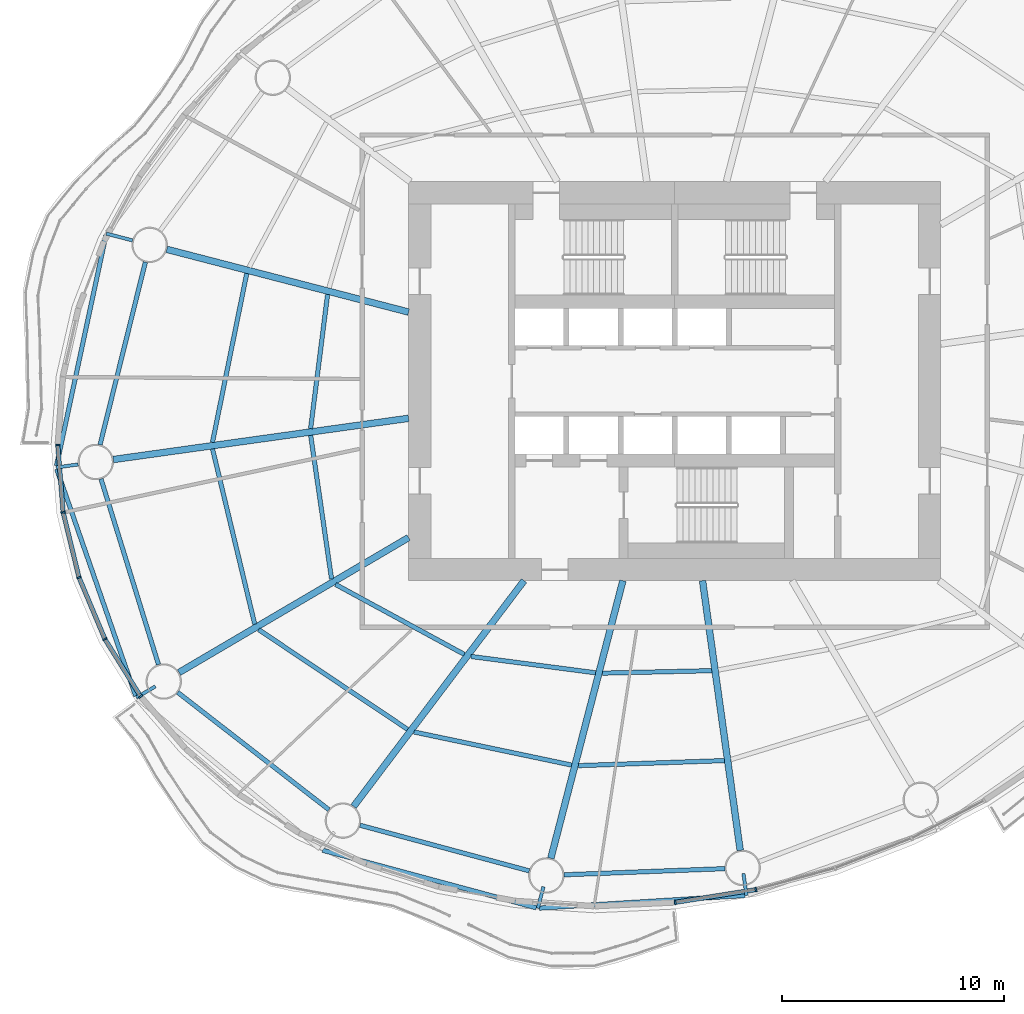
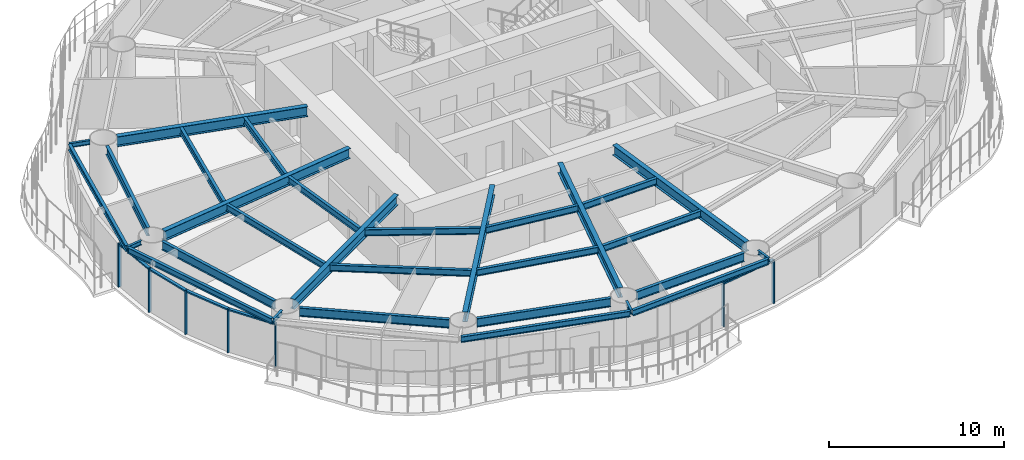
# One storey, part 2 of 14: 30 beams, 12 members, 6 elements without a shape of their own.
"""IFC4 building model written with IfcOpenShell, lengths in metres."""

from ifc_helpers import new_model, si_unit, direction, frame, origin, origin_2d, place, context, subcontext, project, spatial, rectangle, i_section, extrude, material, material_profile, profile_set, type_object, element, aggregate, save


model = new_model("IFC4")

# Units and contexts
model_context = context("Model", 3, precision=1e-05, world=origin(), true_north=direction((0.0, 1.0)))
body_context = subcontext(model_context, "Body", "Model", "MODEL_VIEW")
ifc_project = project(units=[si_unit("LENGTHUNIT", "METRE"), si_unit("AREAUNIT", "SQUARE_METRE"), si_unit("VOLUMEUNIT", "CUBIC_METRE"), si_unit("PLANEANGLEUNIT", "RADIAN"), si_unit("MASSUNIT", "GRAM", prefix="KILO")], contexts=[model_context])

# Site, building, storey
site_placement = place(None, origin())
site = spatial("IfcSite", under=ifc_project, at=site_placement, CompositionType="ELEMENT")
building_placement = place(site_placement, origin())
building = spatial("IfcBuilding", under=site, at=building_placement, Name="Vermilion Reach Broadcast Tower", CompositionType="ELEMENT")
storey_placement = place(building_placement, frame((0.0, 0.0, 106.60009765625)))
storey = spatial("IfcBuildingStorey", under=building, at=storey_placement, Name="L24", CompositionType="ELEMENT", Elevation=106.60009765625)

# Beams
ifc_material_1 = material(Name="Steel S355J2", Category="steel")
ifc_material_profile_1 = material_profile(ifc_material_1, i_section(OverallWidth=0.199951171875, OverallDepth=0.39990234375, WebThickness=0.008056640625, FlangeThickness=0.012939453125, at=origin_2d()), Name="S355J2 HN 400x200x8x13")
ifc_profile_set_1 = profile_set([ifc_material_profile_1], Name="Steel S355J2")
beam_type_1 = type_object("IfcBeamType", Name="EB2 HN 400x200x8x13", PredefinedType="BEAM", material=ifc_profile_set_1)
beam_1_placement = place(storey_placement, frame((-31.648681640625, 6.57958984375, 3.25), z_axis=(-0.209709398942, -0.977763758786, 0.0), x_axis=(0.977763758786, -0.209709398942, 0.0)))
element("IfcBeam", 1, at=beam_1_placement, inside=storey, type_object=beam_type_1, Name="Edge beam EB2-07", PredefinedType="BEAM", context=body_context, shape_type="SweptSolid", body=[
    extrude(i_section(OverallWidth=0.199951171875, OverallDepth=0.39990234375, WebThickness=0.008056640625, FlangeThickness=0.012939453125, at=origin_2d()), origin(), (0.0, 0.0, 1.0), 10.6337890625),
])
beam_2_placement = place(storey_placement, frame((-33.870361328125, -3.9677734375, 3.25), z_axis=(0.328871865345, -0.94437455291, 0.0), x_axis=(0.94437455291, 0.328871865345, 0.0)))
element("IfcBeam", 2, at=beam_2_placement, inside=storey, type_object=beam_type_1, Name="Edge beam EB2-08", PredefinedType="BEAM", context=body_context, shape_type="SweptSolid", body=[
    extrude(i_section(OverallWidth=0.199951171875, OverallDepth=0.39990234375, WebThickness=0.008056640625, FlangeThickness=0.012939453125, at=origin_2d()), origin(), (0.0, 0.0, 1.0), 10.8369140625),
])
beam_3_placement = place(storey_placement, frame((-21.877685546875, -21.15673828125, 3.25), z_axis=(0.965569443685, -0.260145438978, 0.0), x_axis=(0.260145438978, 0.965569443685, 0.0)))
element("IfcBeam", 3, at=beam_3_placement, inside=storey, type_object=beam_type_1, Name="Edge beam EB2-10", PredefinedType="BEAM", context=body_context, shape_type="SweptSolid", body=[
    extrude(i_section(OverallWidth=0.199951171875, OverallDepth=0.39990234375, WebThickness=0.008056640625, FlangeThickness=0.012939453125, at=origin_2d()), origin(), (0.0, 0.0, 1.0), 9.978759765625),
])
beam_4_placement = place(storey_placement, frame((-12.09130859375, -23.767333984375, 3.25), z_axis=(0.998113260315, 0.061399670871, 0.0), x_axis=(-0.061399670871, 0.998113260315, 0.0)))
element("IfcBeam", 4, at=beam_4_placement, inside=storey, type_object=beam_type_1, Name="Edge beam EB2-11", PredefinedType="BEAM", context=body_context, shape_type="SweptSolid", body=[
    extrude(i_section(OverallWidth=0.199951171875, OverallDepth=0.39990234375, WebThickness=0.008056640625, FlangeThickness=0.012939453125, at=origin_2d()), origin(), (0.0, 0.0, 1.0), 9.272705078125),
])
ifc_material_2 = material(Name="Steel S355J2", Category="steel")
ifc_material_profile_2 = material_profile(ifc_material_2, i_section(OverallWidth=0.300048828125, OverallDepth=0.699951171875, WebThickness=0.012939453125, FlangeThickness=0.02392578125, at=origin_2d()), Name="S355J2 HN 700x300x13x24")
ifc_profile_set_2 = profile_set([ifc_material_profile_2], Name="Steel S355J2")
beam_type_2 = type_object("IfcBeamType", Name="G2 HN 700x300x13x24", PredefinedType="BEAM", material=ifc_profile_set_2)
beam_5_placement = place(storey_placement, frame((-18.0, 3.114501953125, 3.099853515625), z_axis=(-0.967926079816, 0.2512351568, 0.0), x_axis=(-0.2512351568, -0.967926079816, 0.0)))
element("IfcBeam", 5, at=beam_5_placement, inside=storey, type_object=beam_type_2, Name="Girder G2-07", PredefinedType="BEAM", context=body_context, shape_type="SweptSolid", body=[
    extrude(i_section(OverallWidth=0.300048828125, OverallDepth=0.699951171875, WebThickness=0.012939453125, FlangeThickness=0.02392578125, at=origin_2d()), origin(), (0.0, 0.0, 1.0), 11.265625),
])
beam_6_placement = place(storey_placement, frame((-18.0, -1.67578125, 3.099853515625), z_axis=(-0.990389457618, -0.138306623986, 0.0), x_axis=(0.138306623986, -0.990389457618, 0.0)))
element("IfcBeam", 6, at=beam_6_placement, inside=storey, type_object=beam_type_2, Name="Girder G2-08", PredefinedType="BEAM", context=body_context, shape_type="SweptSolid", body=[
    extrude(i_section(OverallWidth=0.300048828125, OverallDepth=0.699951171875, WebThickness=0.012939453125, FlangeThickness=0.02392578125, at=origin_2d()), origin(), (0.0, 0.0, 1.0), 13.445556640625),
])
beam_7_placement = place(storey_placement, frame((-18.0, -7.054443359375, 3.099853515625), z_axis=(-0.862071616631, -0.506786471603, 0.0), x_axis=(0.506786471603, -0.862071616631, 0.0)))
element("IfcBeam", 7, at=beam_7_placement, inside=storey, type_object=beam_type_2, Name="Girder G2-09", PredefinedType="BEAM", context=body_context, shape_type="SweptSolid", body=[
    extrude(i_section(OverallWidth=0.300048828125, OverallDepth=0.699951171875, WebThickness=0.012939453125, FlangeThickness=0.02392578125, at=origin_2d()), origin(), (0.0, 0.0, 1.0), 12.01025390625),
])
beam_8_placement = place(storey_placement, frame((-12.794189453125, -9.0, 3.099853515625), z_axis=(-0.602519842365, -0.798103902733, 0.0), x_axis=(0.798103902733, -0.602519842365, 0.0)))
element("IfcBeam", 8, at=beam_8_placement, inside=storey, type_object=beam_type_2, Name="Girder G2-10", PredefinedType="BEAM", context=body_context, shape_type="SweptSolid", body=[
    extrude(i_section(OverallWidth=0.300048828125, OverallDepth=0.699951171875, WebThickness=0.012939453125, FlangeThickness=0.02392578125, at=origin_2d()), origin(), (0.0, 0.0, 1.0), 12.758544921875),
])
beam_9_placement = place(storey_placement, frame((-8.3359375, -9.0, 3.099853515625), z_axis=(-0.25121695316, -0.967930804575, 0.0), x_axis=(0.967930804575, -0.25121695316, 0.0)))
element("IfcBeam", 9, at=beam_9_placement, inside=storey, type_object=beam_type_2, Name="Girder G2-11", PredefinedType="BEAM", context=body_context, shape_type="SweptSolid", body=[
    extrude(i_section(OverallWidth=0.300048828125, OverallDepth=0.699951171875, WebThickness=0.012939453125, FlangeThickness=0.02392578125, at=origin_2d()), origin(), (0.0, 0.0, 1.0), 12.93505859375),
])
beam_10_placement = place(storey_placement, frame((-4.7431640625, -9.0, 3.099853515625), z_axis=(0.138317561234, -0.990387930184, 0.0), x_axis=(0.990387930184, 0.138317561234, 0.0)))
element("IfcBeam", 10, at=beam_10_placement, inside=storey, type_object=beam_type_2, Name="Girder G2-12", PredefinedType="BEAM", context=body_context, shape_type="SweptSolid", body=[
    extrude(i_section(OverallWidth=0.300048828125, OverallDepth=0.699951171875, WebThickness=0.012939453125, FlangeThickness=0.02392578125, at=origin_2d()), origin(), (0.0, 0.0, 1.0), 12.281494140625),
])
ifc_material_3 = material(Name="Steel S355J2", Category="steel")
ifc_material_profile_3 = material_profile(ifc_material_3, i_section(OverallWidth=0.14990234375, OverallDepth=0.300048828125, WebThickness=0.006591796875, FlangeThickness=0.009033203125, at=origin_2d()), Name="S355J2 HN 300x150x6.5x9")
ifc_profile_set_3 = profile_set([ifc_material_profile_3], Name="Steel S355J2")
beam_type_3 = type_object("IfcBeamType", Name="GS2 HN 300x150x6.5x9", PredefinedType="BEAM", material=ifc_profile_set_3)
beam_11_placement = place(storey_placement, frame((-30.452880859375, 6.3466796875, 3.2998046875), z_axis=(-0.967899522531, 0.251337451019, 0.0), x_axis=(-0.251337451019, -0.967899522531, 0.0)))
element("IfcBeam", 11, at=beam_11_placement, inside=storey, type_object=beam_type_3, Name="Cantilever stub GS2-07", PredefinedType="BEAM", context=body_context, shape_type="SweptSolid", body=[
    extrude(i_section(OverallWidth=0.14990234375, OverallDepth=0.300048828125, WebThickness=0.006591796875, FlangeThickness=0.009033203125, at=origin_2d()), origin(), (0.0, 0.0, 1.0), 1.218994140625),
])
beam_12_placement = place(storey_placement, frame((-32.901123046875, -3.7568359375, 3.2998046875), z_axis=(-0.990382436951, -0.138356888442, 0.0), x_axis=(0.138356888442, -0.990382436951, 0.0)))
element("IfcBeam", 12, at=beam_12_placement, inside=storey, type_object=beam_type_3, Name="Cantilever stub GS2-08", PredefinedType="BEAM", context=body_context, shape_type="SweptSolid", body=[
    extrude(i_section(OverallWidth=0.14990234375, OverallDepth=0.300048828125, WebThickness=0.006591796875, FlangeThickness=0.009033203125, at=origin_2d()), origin(), (0.0, 0.0, 1.0), 1.004150390625),
])
for number, where, z_axis, x_axis, name in (
    (13, (-29.419189453125, -13.767333984375, 3.2998046875), (-0.862047161964, -0.506828068037, 0.0), (0.506828068037, -0.862047161964, 0.0), "Cantilever stub GS2-09"),
    (14, (-11.918701171875, -22.80419921875, 3.2998046875), (-0.251199368006, -0.967935368459, 0.0), (0.967935368459, -0.251199368006, 0.0), "Cantilever stub GS2-11"),
    (15, (-2.8994140625, -22.202880859375, 3.2998046875), (0.138413206764, -0.990374567622, 0.0), (0.990374567622, 0.138413206764, 0.0), "Cantilever stub GS2-12"),
):
    element("IfcBeam", number, at=place(storey_placement, frame(where, z_axis=z_axis, x_axis=x_axis)), inside=storey, type_object=beam_type_3, Name=name, PredefinedType="BEAM", context=body_context, shape_type="SweptSolid", body=[
        extrude(i_section(OverallWidth=0.14990234375, OverallDepth=0.300048828125, WebThickness=0.006591796875, FlangeThickness=0.009033203125, at=origin_2d()), origin(), (0.0, 0.0, 1.0), 1.0),
    ])
ifc_material_4 = material(Name="Steel S355J2", Category="steel")
ifc_material_profile_4 = material_profile(ifc_material_4, i_section(OverallWidth=0.199951171875, OverallDepth=0.60009765625, WebThickness=0.010986328125, FlangeThickness=0.01708984375, at=origin_2d()), Name="S355J2 HN 600x200x11x17")
ifc_profile_set_4 = profile_set([ifc_material_profile_4], Name="Steel S355J2")
beam_type_4 = type_object("IfcBeamType", Name="RB2 HN 600x200x11x17", PredefinedType="BEAM", material=ifc_profile_set_4)
beam_13_placement = place(storey_placement, frame((-29.871337890625, 5.369384765625, 3.14990234375), z_axis=(-0.240863809798, -0.970558924089, 0.0), x_axis=(0.970558924089, -0.240863809798, 0.0)))
element("IfcBeam", 16, at=beam_13_placement, inside=storey, type_object=beam_type_4, Name="Ring beam RB2-07", PredefinedType="BEAM", context=body_context, shape_type="SweptSolid", body=[
    extrude(i_section(OverallWidth=0.199951171875, OverallDepth=0.60009765625, WebThickness=0.010986328125, FlangeThickness=0.01708984375, at=origin_2d()), origin(), (0.0, 0.0, 1.0), 8.489013671875),
])
beam_14_placement = place(storey_placement, frame((-31.872314453125, -4.410400390625, 3.14990234375), z_axis=(0.295788439635, -0.95525347368, 0.0), x_axis=(0.95525347368, 0.295788439635, 0.0)))
element("IfcBeam", 17, at=beam_14_placement, inside=storey, type_object=beam_type_4, Name="Ring beam RB2-08", PredefinedType="BEAM", context=body_context, shape_type="SweptSolid", body=[
    extrude(i_section(OverallWidth=0.199951171875, OverallDepth=0.60009765625, WebThickness=0.010986328125, FlangeThickness=0.01708984375, at=origin_2d()), origin(), (0.0, 0.0, 1.0), 8.763916015625),
])
beam_15_placement = place(storey_placement, frame((-28.41162109375, -14.037109375, 3.14990234375), z_axis=(0.789825712432, -0.613331349257, 0.0), x_axis=(0.613331349257, 0.789825712432, 0.0)))
element("IfcBeam", 18, at=beam_15_placement, inside=storey, type_object=beam_type_4, Name="Ring beam RB2-09", PredefinedType="BEAM", context=body_context, shape_type="SweptSolid", body=[
    extrude(i_section(OverallWidth=0.199951171875, OverallDepth=0.60009765625, WebThickness=0.010986328125, FlangeThickness=0.01708984375, at=origin_2d()), origin(), (0.0, 0.0, 1.0), 8.63037109375),
])
beam_16_placement = place(storey_placement, frame((-20.19091796875, -20.029296875, 3.14990234375), z_axis=(0.965541463834, -0.260249268234, 0.0), x_axis=(0.260249268234, 0.965541463834, 0.0)))
element("IfcBeam", 19, at=beam_16_placement, inside=storey, type_object=beam_type_4, Name="Ring beam RB2-10", PredefinedType="BEAM", context=body_context, shape_type="SweptSolid", body=[
    extrude(i_section(OverallWidth=0.199951171875, OverallDepth=0.60009765625, WebThickness=0.010986328125, FlangeThickness=0.01708984375, at=origin_2d()), origin(), (0.0, 0.0, 1.0), 7.904541015625),
])
beam_17_placement = place(storey_placement, frame((-10.987060546875, -22.263916015625, 3.14990234375), z_axis=(0.999268558327, 0.038240663418, 0.0), x_axis=(-0.038240663418, 0.999268558327, 0.0)))
element("IfcBeam", 20, at=beam_17_placement, inside=storey, type_object=beam_type_4, Name="Ring beam RB2-11", PredefinedType="BEAM", context=body_context, shape_type="SweptSolid", body=[
    extrude(i_section(OverallWidth=0.199951171875, OverallDepth=0.60009765625, WebThickness=0.010986328125, FlangeThickness=0.01708984375, at=origin_2d()), origin(), (0.0, 0.0, 1.0), 7.259033203125),
])
ifc_material_5 = material(Name="Steel S355J2", Category="steel")
ifc_material_profile_5 = material_profile(ifc_material_5, i_section(OverallWidth=0.199951171875, OverallDepth=0.449951171875, WebThickness=0.009033203125, FlangeThickness=0.013916015625, at=origin_2d()), Name="S355J2 HN 450x200x9x14")
ifc_profile_set_5 = profile_set([ifc_material_profile_5], Name="Steel S355J2")
beam_type_5 = type_object("IfcBeamType", Name="SB2 HN 450x200x9x14", PredefinedType="BEAM", material=ifc_profile_set_5)
beam_18_placement = place(storey_placement, frame((-21.65380859375, 3.907958984375, 3.224853515625), z_axis=(-0.125557241128, -0.992086376885, 0.0), x_axis=(0.992086376885, -0.125557241128, 0.0)))
element("IfcBeam", 21, at=beam_18_placement, inside=storey, type_object=beam_type_5, Name="Secondary beam SB2-07-1", PredefinedType="BEAM", context=body_context, shape_type="SweptSolid", body=[
    extrude(i_section(OverallWidth=0.199951171875, OverallDepth=0.449951171875, WebThickness=0.009033203125, FlangeThickness=0.013916015625, at=origin_2d()), origin(), (0.0, 0.0, 1.0), 6.097900390625),
])
beam_19_placement = place(storey_placement, frame((-25.29931640625, 4.854248046875, 3.224853515625), z_axis=(-0.19906416804, -0.979986457561, 0.0), x_axis=(0.979986457561, -0.19906416804, 0.0)))
element("IfcBeam", 22, at=beam_19_placement, inside=storey, type_object=beam_type_5, Name="Secondary beam SB2-07-2", PredefinedType="BEAM", context=body_context, shape_type="SweptSolid", body=[
    extrude(i_section(OverallWidth=0.199951171875, OverallDepth=0.449951171875, WebThickness=0.009033203125, FlangeThickness=0.013916015625, at=origin_2d()), origin(), (0.0, 0.0, 1.0), 7.76953125),
])
beam_20_placement = place(storey_placement, frame((-22.417236328125, -2.444091796875, 3.224853515625), z_axis=(0.143973706518, -0.989581513485, 0.0), x_axis=(0.989581513485, 0.143973706518, 0.0)))
element("IfcBeam", 23, at=beam_20_placement, inside=storey, type_object=beam_type_5, Name="Secondary beam SB2-08-1", PredefinedType="BEAM", context=body_context, shape_type="SweptSolid", body=[
    extrude(i_section(OverallWidth=0.199951171875, OverallDepth=0.449951171875, WebThickness=0.009033203125, FlangeThickness=0.013916015625, at=origin_2d()), origin(), (0.0, 0.0, 1.0), 6.547119140625),
])
beam_21_placement = place(storey_placement, frame((-26.84228515625, -3.06201171875, 3.224853515625), z_axis=(0.234260568382, -0.972173845617, 0.0), x_axis=(0.972173845617, 0.234260568382, 0.0)))
element("IfcBeam", 24, at=beam_21_placement, inside=storey, type_object=beam_type_5, Name="Secondary beam SB2-08-2", PredefinedType="BEAM", context=body_context, shape_type="SweptSolid", body=[
    extrude(i_section(OverallWidth=0.199951171875, OverallDepth=0.449951171875, WebThickness=0.009033203125, FlangeThickness=0.013916015625, at=origin_2d()), origin(), (0.0, 0.0, 1.0), 8.123779296875),
])
beam_22_placement = place(storey_placement, frame((-21.29736328125, -9.1669921875, 3.224853515625), z_axis=(0.878713106774, -0.477350265512, 0.0), x_axis=(0.477350265512, 0.878713106774, 0.0)))
element("IfcBeam", 25, at=beam_22_placement, inside=storey, type_object=beam_type_5, Name="Secondary beam SB2-09-1", PredefinedType="BEAM", context=body_context, shape_type="SweptSolid", body=[
    extrude(i_section(OverallWidth=0.199951171875, OverallDepth=0.449951171875, WebThickness=0.009033203125, FlangeThickness=0.013916015625, at=origin_2d()), origin(), (0.0, 0.0, 1.0), 6.60888671875),
])
beam_23_placement = place(storey_placement, frame((-24.76416015625, -11.204833984375, 3.224853515625), z_axis=(0.830915400975, -0.556398774641, 0.0), x_axis=(0.556398774641, 0.830915400975, 0.0)))
element("IfcBeam", 26, at=beam_23_placement, inside=storey, type_object=beam_type_5, Name="Secondary beam SB2-09-2", PredefinedType="BEAM", context=body_context, shape_type="SweptSolid", body=[
    extrude(i_section(OverallWidth=0.199951171875, OverallDepth=0.449951171875, WebThickness=0.009033203125, FlangeThickness=0.013916015625, at=origin_2d()), origin(), (0.0, 0.0, 1.0), 8.087646484375),
])
beam_24_placement = place(storey_placement, frame((-15.185546875, -12.416748046875, 3.224853515625), z_axis=(0.991498686864, -0.130116693573, 0.0), x_axis=(0.130116693573, 0.991498686864, 0.0)))
element("IfcBeam", 27, at=beam_24_placement, inside=storey, type_object=beam_type_5, Name="Secondary beam SB2-10-1", PredefinedType="BEAM", context=body_context, shape_type="SweptSolid", body=[
    extrude(i_section(OverallWidth=0.199951171875, OverallDepth=0.449951171875, WebThickness=0.009033203125, FlangeThickness=0.013916015625, at=origin_2d()), origin(), (0.0, 0.0, 1.0), 5.66455078125),
])
beam_25_placement = place(storey_placement, frame((-17.7568359375, -15.822509765625, 3.224853515625), z_axis=(0.978631382549, -0.205622511148, 0.0), x_axis=(0.205622511148, 0.978631382549, 0.0)))
element("IfcBeam", 28, at=beam_25_placement, inside=storey, type_object=beam_type_5, Name="Secondary beam SB2-10-2", PredefinedType="BEAM", context=body_context, shape_type="SweptSolid", body=[
    extrude(i_section(OverallWidth=0.199951171875, OverallDepth=0.449951171875, WebThickness=0.009033203125, FlangeThickness=0.013916015625, at=origin_2d()), origin(), (0.0, 0.0, 1.0), 7.262939453125),
])
beam_26_placement = place(storey_placement, frame((-9.26318359375, -13.169921875, 3.224853515625), z_axis=(0.999742320425, 0.022700060602, 0.0), x_axis=(-0.022700060602, 0.999742320425, 0.0)))
element("IfcBeam", 29, at=beam_26_placement, inside=storey, type_object=beam_type_5, Name="Secondary beam SB2-11-1", PredefinedType="BEAM", context=body_context, shape_type="SweptSolid", body=[
    extrude(i_section(OverallWidth=0.199951171875, OverallDepth=0.449951171875, WebThickness=0.009033203125, FlangeThickness=0.013916015625, at=origin_2d()), origin(), (0.0, 0.0, 1.0), 4.9365234375),
])
beam_27_placement = place(storey_placement, frame((-10.345947265625, -17.34130859375, 3.224853515625), z_axis=(0.999404722387, 0.03449928797, 0.0), x_axis=(-0.03449928797, 0.999404722387, 0.0)))
element("IfcBeam", 30, at=beam_27_placement, inside=storey, type_object=beam_type_5, Name="Secondary beam SB2-11-2", PredefinedType="BEAM", context=body_context, shape_type="SweptSolid", body=[
    extrude(i_section(OverallWidth=0.199951171875, OverallDepth=0.449951171875, WebThickness=0.009033203125, FlangeThickness=0.013916015625, at=origin_2d()), origin(), (0.0, 0.0, 1.0), 6.58837890625),
])

# Curtain wall, member
ifc_material_6 = material(Name="Low-e laminated clear glass in aluminium frame", Category="aluminium")
curtain_wall_type = type_object("IfcCurtainWallType", Name="Slot curtain wall", PredefinedType="NOTDEFINED", material=ifc_material_6)
placement = place(storey_placement, origin())
curtain_wall_1 = element("IfcCurtainWall", 31, at=placement, inside=storey, type_object=curtain_wall_type, Name="Slot curtain wall L24 22", PredefinedType="NOTDEFINED")
ifc_material_7 = material(Name="Anodised aluminium", Category="aluminium")
ifc_material_profile_6 = material_profile(ifc_material_7, rectangle(XDim=0.199951171875, YDim=0.080078125, at=origin_2d()), Name="Slot mullion 80 x 200")
ifc_profile_set_6 = profile_set([ifc_material_profile_6], Name="Anodised aluminium")
member_type_1 = type_object("IfcMemberType", Name="Slot mullion 80 x 200", PredefinedType="MULLION", material=ifc_profile_set_6)
member_1_placement = place(storey_placement, frame((-33.822998046875, -2.8837890625, 0.0), z_axis=(0.0, 0.0, 1.0), x_axis=(0.999995773915, 0.002907258401, 0.0)))
member_1 = element("IfcMember", 32, at=member_1_placement, type_object=member_type_1, Name="Slot mullion L24 22", PredefinedType="MULLION", context=body_context, shape_type="SweptSolid", body=[
    extrude(rectangle(XDim=0.199951171875, YDim=0.080078125, at=origin_2d()), origin(), (0.0, 0.0, 1.0), 3.0498046875),
])

curtain_wall_2 = element("IfcCurtainWall", 33, at=placement, inside=storey, type_object=curtain_wall_type, Name="Slot curtain wall L24 23", PredefinedType="NOTDEFINED")
member_2_placement = place(storey_placement, frame((-33.5791015625, -5.919677734375, 0.0), z_axis=(0.0, 0.0, 1.0), x_axis=(0.98732773555, 0.158694494589, 0.0)))
member_2 = element("IfcMember", 34, at=member_2_placement, type_object=member_type_1, Name="Slot mullion L24 23", PredefinedType="MULLION", context=body_context, shape_type="SweptSolid", body=[
    extrude(rectangle(XDim=0.199951171875, YDim=0.080078125, at=origin_2d()), origin(), (0.0, 0.0, 1.0), 3.0498046875),
])

curtain_wall_3 = element("IfcCurtainWall", 35, at=placement, inside=storey, type_object=curtain_wall_type, Name="Slot curtain wall L24 24", PredefinedType="NOTDEFINED")
member_3_placement = place(storey_placement, frame((-32.865478515625, -8.853759765625, 0.0), z_axis=(0.0, 0.0, 1.0), x_axis=(0.949753808749, 0.312997927737, 0.0)))
member_3 = element("IfcMember", 36, at=member_3_placement, type_object=member_type_1, Name="Slot mullion L24 24", PredefinedType="MULLION", context=body_context, shape_type="SweptSolid", body=[
    extrude(rectangle(XDim=0.199951171875, YDim=0.080078125, at=origin_2d()), origin(), (0.0, 0.0, 1.0), 3.0498046875),
])

# Curtain wall, members
curtain_wall_4 = element("IfcCurtainWall", 37, at=placement, inside=storey, type_object=curtain_wall_type, Name="Slot curtain wall L24 25", PredefinedType="NOTDEFINED")
member_4_placement = place(storey_placement, frame((-31.69482421875, -11.63720703125, 0.0), z_axis=(0.0, 0.0, 1.0), x_axis=(0.888225695525, 0.459407350626, 0.0)))
member_4 = element("IfcMember", 38, at=member_4_placement, type_object=member_type_1, Name="Slot mullion L24 25", PredefinedType="MULLION", context=body_context, shape_type="SweptSolid", body=[
    extrude(rectangle(XDim=0.199951171875, YDim=0.080078125, at=origin_2d()), origin(), (0.0, 0.0, 1.0), 3.0498046875),
])
member_5_placement = place(storey_placement, frame((-30.0859375, -14.22314453125, 0.0), z_axis=(0.0, 0.0, 1.0), x_axis=(0.805789366492, 0.592202243198, 0.0)))
member_5 = element("IfcMember", 39, at=member_5_placement, type_object=member_type_1, Name="Slot mullion L24 26", PredefinedType="MULLION", context=body_context, shape_type="SweptSolid", body=[
    extrude(rectangle(XDim=0.199951171875, YDim=0.080078125, at=origin_2d()), origin(), (0.0, 0.0, 1.0), 3.0498046875),
])

# Curtain wall, member
curtain_wall_5 = element("IfcCurtainWall", 40, at=placement, inside=storey, type_object=curtain_wall_type, Name="Slot curtain wall L24 34", PredefinedType="NOTDEFINED")
member_6_placement = place(storey_placement, frame((-5.975341796875, -23.507568359375, 0.0), z_axis=(0.0, 0.0, 1.0), x_axis=(-0.101733548413, 0.994811683248, 0.0)))
member_6 = element("IfcMember", 41, at=member_6_placement, type_object=member_type_1, Name="Slot mullion L24 34", PredefinedType="MULLION", context=body_context, shape_type="SweptSolid", body=[
    extrude(rectangle(XDim=0.199951171875, YDim=0.080078125, at=origin_2d()), origin(), (0.0, 0.0, 1.0), 3.0498046875),
])

curtain_wall_6 = element("IfcCurtainWall", 42, at=placement, inside=storey, type_object=curtain_wall_type, Name="Slot curtain wall L24 35", PredefinedType="NOTDEFINED")
member_7_placement = place(storey_placement, frame((-2.33740234375, -22.9326171875, 0.0), z_axis=(0.0, 0.0, 1.0), x_axis=(-0.209175943759, 0.977878021306, 0.0)))
member_7 = element("IfcMember", 43, at=member_7_placement, type_object=member_type_1, Name="Slot mullion L24 35", PredefinedType="MULLION", context=body_context, shape_type="SweptSolid", body=[
    extrude(rectangle(XDim=0.199951171875, YDim=0.080078125, at=origin_2d()), origin(), (0.0, 0.0, 1.0), 3.0498046875),
])
aggregate(curtain_wall_6, [member_7])

# Member
ifc_material_8 = material(Name="Anodised aluminium", Category="aluminium")
ifc_material_profile_7 = material_profile(ifc_material_8, rectangle(XDim=0.199951171875, YDim=0.10009765625, at=origin_2d()), Name="Slot transom 200 x 100")
ifc_profile_set_7 = profile_set([ifc_material_profile_7], Name="Anodised aluminium")
member_type_2 = type_object("IfcMemberType", Name="Slot transom 200 x 100", PredefinedType="USERDEFINED", material=ifc_profile_set_7)
member_8_placement = place(storey_placement, frame((-33.81982421875, -2.923583984375, 3.0), z_axis=(0.08010187001, -0.996786682506, 0.0), x_axis=(0.996786682506, 0.08010187001, 0.0)))
member_8 = element("IfcMember", 44, at=member_8_placement, type_object=member_type_2, Name="Slot transom L24 22.1", ObjectType="TRANSOM", PredefinedType="USERDEFINED", context=body_context, shape_type="SweptSolid", body=[
    extrude(rectangle(XDim=0.199951171875, YDim=0.10009765625, at=origin_2d()), origin(), (0.0, 0.0, 1.0), 2.965576171875),
])

aggregate(curtain_wall_1, [member_1, member_8])

member_9_placement = place(storey_placement, frame((-33.569580078125, -5.95849609375, 3.0), z_axis=(0.236277406168, -0.971685642239, 0.0), x_axis=(0.971685642239, 0.236277406168, 0.0)))
member_9 = element("IfcMember", 45, at=member_9_placement, type_object=member_type_2, Name="Slot transom L24 23.1", ObjectType="TRANSOM", PredefinedType="USERDEFINED", context=body_context, shape_type="SweptSolid", body=[
    extrude(rectangle(XDim=0.199951171875, YDim=0.10009765625, at=origin_2d()), origin(), (0.0, 0.0, 1.0), 2.939697265625),
])

aggregate(curtain_wall_2, [member_2, member_9])

member_10_placement = place(storey_placement, frame((-32.85009765625, -8.890625, 3.0), z_axis=(0.387756243955, -0.921761951522, 0.0), x_axis=(0.921761951522, 0.387756243955, 0.0)))
member_10 = element("IfcMember", 46, at=member_10_placement, type_object=member_type_2, Name="Slot transom L24 24.1", ObjectType="TRANSOM", PredefinedType="USERDEFINED", context=body_context, shape_type="SweptSolid", body=[
    extrude(rectangle(XDim=0.199951171875, YDim=0.10009765625, at=origin_2d()), origin(), (0.0, 0.0, 1.0), 2.939697265625),
])

aggregate(curtain_wall_3, [member_3, member_10])

member_11_placement = place(storey_placement, frame((-31.673583984375, -11.671142578125, 3.0), z_axis=(0.528206925172, -0.849115683638, 0.0), x_axis=(0.849115683638, 0.528206925172, 0.0)))
member_11 = element("IfcMember", 47, at=member_11_placement, type_object=member_type_2, Name="Slot transom L24 25.1", ObjectType="TRANSOM", PredefinedType="USERDEFINED", context=body_context, shape_type="SweptSolid", body=[
    extrude(rectangle(XDim=0.199951171875, YDim=0.10009765625, at=origin_2d()), origin(), (0.0, 0.0, 1.0), 2.965576171875),
])

aggregate(curtain_wall_4, [member_4, member_5, member_11])

member_12_placement = place(storey_placement, frame((-5.935791015625, -23.50146484375, 3.0), z_axis=(0.987729431371, 0.156174807197, 0.0), x_axis=(-0.156174807197, 0.987729431371, 0.0)))
member_12 = element("IfcMember", 48, at=member_12_placement, type_object=member_type_2, Name="Slot transom L24 34.1", ObjectType="TRANSOM", PredefinedType="USERDEFINED", context=body_context, shape_type="SweptSolid", body=[
    extrude(rectangle(XDim=0.199951171875, YDim=0.10009765625, at=origin_2d()), origin(), (0.0, 0.0, 1.0), 3.603271484375),
])

aggregate(curtain_wall_5, [member_6, member_12])

save(model, "model.ifc")
